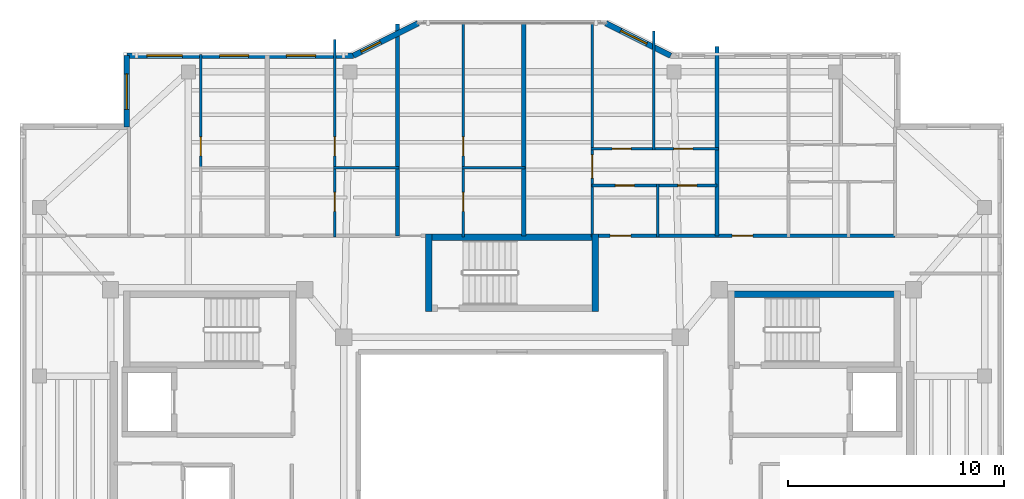
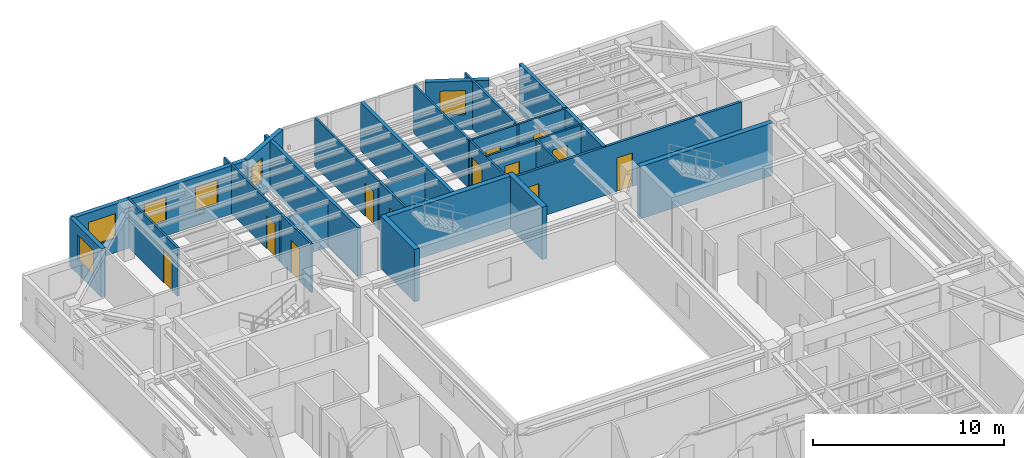
# One storey, part 10 of 14: 25 walls, 12 doors, 6 windows, 18 openings.
"""IFC4 building model written with IfcOpenShell, lengths in metres."""

from ifc_helpers import new_model, si_unit, direction, frame, frame_2d, origin, place, context, subcontext, project, spatial, rectangle, extrude, material, layer, layer_set, type_object, element, fill, save


model = new_model("IFC4")

# Units and contexts
model_context = context("Model", 3, precision=1e-05, world=origin(), true_north=direction((0.0, 1.0)))
body_context = subcontext(model_context, "Body", "Model", "MODEL_VIEW")
ifc_project = project(units=[si_unit("LENGTHUNIT", "METRE"), si_unit("AREAUNIT", "SQUARE_METRE"), si_unit("VOLUMEUNIT", "CUBIC_METRE"), si_unit("PLANEANGLEUNIT", "RADIAN"), si_unit("MASSUNIT", "GRAM", prefix="KILO")], contexts=[model_context])

# Site, building, storey
site_placement = place(None, origin())
site = spatial("IfcSite", under=ifc_project, at=site_placement, CompositionType="ELEMENT")
building_placement = place(site_placement, origin())
building = spatial("IfcBuilding", under=site, at=building_placement, Name="Tarnavaz Court Tower", CompositionType="ELEMENT")
storey_placement = place(building_placement, frame((0.0, 0.0, 261.60009765625)))
storey = spatial("IfcBuildingStorey", under=building, at=storey_placement, Name="L71", CompositionType="ELEMENT", Elevation=261.60009765625)

# Walls
ifc_material_1 = material(Name="Concrete C50/60", Category="concrete")
ifc_layer_1 = layer(ifc_material_1, 0.300048828125)
ifc_layer_set_1 = layer_set([ifc_layer_1], Name="Concrete C50/60")
wall_type_1 = type_object("IfcWallType", Name="WL-CORE-300-C50", PredefinedType="SHEAR", material=ifc_layer_set_1)
for number, where, z_axis, x_axis, name in (
    (1, (10.0, 9.7900390625, 0.0), (0.0, 0.0, 1.0), (1.0, 0.0, 0.0), "L71 East Stair Core Wall 005"),
    (2, (-4.0, 12.43994140625, 0.0), (0.0, 0.0, 1.0), (1.0, 0.0, 0.0), "L71 North Stair Core Wall 009"),
):
    element("IfcWall", number, at=place(storey_placement, frame(where, z_axis=z_axis, x_axis=x_axis)), inside=storey, type_object=wall_type_1, Name=name, PredefinedType="SHEAR", context=body_context, shape_type="SweptSolid", body=[
        extrude(rectangle(XDim=8.0, YDim=0.300048828125, at=frame_2d((4.0, 0.0))), origin(), (0.0, 0.0, 1.0), 3.349853515625),
    ])
for number, where, z_axis, x_axis, name in (
    (3, (-3.85009765625, 9.0, 0.0), (0.0, 0.0, 1.0), (0.0, 1.0, 0.0), "L71 North Stair Core Wall 011"),
    (4, (3.85009765625, 9.0, 0.0), (0.0, 0.0, 1.0), (0.0, 1.0, 0.0), "L71 North Stair Core Wall 012"),
):
    element("IfcWall", number, at=place(storey_placement, frame(where, z_axis=z_axis, x_axis=x_axis)), inside=storey, type_object=wall_type_1, Name=name, PredefinedType="SHEAR", context=body_context, shape_type="SweptSolid", body=[
        extrude(rectangle(XDim=3.590087890625, YDim=0.300048828125, at=frame_2d((1.794921875, 0.0))), origin(), (0.0, 0.0, 1.0), 3.349853515625),
    ])

# Wall, opening, window
ifc_material_2 = material(Name="Precast Concrete C40/50", Category="concrete")
ifc_layer_2 = layer(ifc_material_2, 0.260009765625)
ifc_layer_set_2 = layer_set([ifc_layer_2], Name="Precast Concrete C40/50")
wall_type_2 = type_object("IfcWallType", Name="WL-EXT-260", PredefinedType="SOLIDWALL", material=ifc_layer_set_2)
wall_1_placement = place(storey_placement, frame((-17.85009765625, 17.550048828125, 0.0), z_axis=(0.0, 0.0, 1.0), x_axis=(0.0, 1.0, 0.0)))
wall_1 = element("IfcWall", 5, at=wall_1_placement, inside=storey, type_object=wall_type_2, Name="L71 Exterior Terracotta Facade Wall 04", PredefinedType="SOLIDWALL", context=body_context, shape_type="SweptSolid", body=[
    extrude(rectangle(XDim=3.300048828125, YDim=0.260009765625, at=frame_2d((1.64990234375, 0.0))), origin(), (0.0, 0.0, 1.0), 3.099853515625),
])
opening_1_placement = place(wall_1_placement, frame((0.8076171875, 0.0, 0.89990234375)))
opening_1 = element("IfcOpeningElement", 6, at=opening_1_placement, cuts=wall_1, Name="Opening W02", PredefinedType="OPENING", context=body_context, shape_type="SweptSolid", body=[
    extrude(rectangle(XDim=1.64990234375, YDim=1.60009765625, at=frame_2d((0.824951171875, 0.800048828125))), frame((0.0, 0.139892578125, 0.0), z_axis=(0.0, -1.0, 0.0), x_axis=(1.0, 0.0, 0.0)), (0.0, 0.0, 1.0), 0.280029296875),
])
ifc_material_3 = material(Name="Double-Glazed Solar Low-E Glass", Category="glass")
window_type_1 = type_object("IfcWindowType", Name="WN-APT-1650", PartitioningType="DOUBLE_PANEL_VERTICAL", PredefinedType="WINDOW", material=ifc_material_3)
window_1_placement = place(opening_1_placement, origin())
window_1 = element("IfcWindow", 7, at=window_1_placement, inside=storey, type_object=window_type_1, Name="L71 Flat 01 Studio Living and Sleeping Room Window", OverallHeight=1.60009765625, OverallWidth=1.64990234375, PartitioningType="SINGLE_PANEL", PredefinedType="WINDOW", context=body_context, shape_type="SweptSolid", body=[
    extrude(rectangle(XDim=1.64990234375, YDim=1.60009765625, at=frame_2d((0.824951171875, 0.800048828125))), frame((0.0, 0.030029296875, 0.0), z_axis=(0.0, -1.0, 0.0), x_axis=(1.0, 0.0, 0.0)), (0.0, 0.0, 1.0), 0.06005859375),
])
fill(opening_1, window_1)

# Wall, openings, windows
wall_2_placement = place(storey_placement, frame((-17.85009765625, 20.85009765625, 0.0), z_axis=(0.0, 0.0, 1.0), x_axis=(1.0, 0.0, 0.0)))
wall_2 = element("IfcWall", 8, at=wall_2_placement, inside=storey, type_object=wall_type_2, Name="L71 Exterior Terracotta Facade Wall 05", PredefinedType="SOLIDWALL", context=body_context, shape_type="SweptSolid", body=[
    extrude(rectangle(XDim=10.5, YDim=0.260009765625, at=frame_2d((5.25, 0.0))), origin(), (0.0, 0.0, 1.0), 3.099853515625),
])
opening_2_placement = place(wall_2_placement, frame((0.925048828125, 0.0, 0.89990234375)))
opening_2 = element("IfcOpeningElement", 9, at=opening_2_placement, cuts=wall_2, Name="Opening W02", PredefinedType="OPENING", context=body_context, shape_type="SweptSolid", body=[
    extrude(rectangle(XDim=1.64990234375, YDim=1.60009765625, at=frame_2d((0.824951171875, 0.800048828125))), frame((0.0, 0.139892578125, 0.0), z_axis=(0.0, -1.0, 0.0), x_axis=(1.0, 0.0, 0.0)), (0.0, 0.0, 1.0), 0.280029296875),
])
opening_3_placement = place(wall_2_placement, frame((4.300048828125, 0.0, 0.949951171875)))
opening_3 = element("IfcOpeningElement", 10, at=opening_3_placement, cuts=wall_2, Name="Opening W04", PredefinedType="OPENING", context=body_context, shape_type="SweptSolid", body=[
    extrude(rectangle(XDim=1.35009765625, YDim=1.550048828125, at=frame_2d((0.675048828125, 0.77490234375))), frame((0.0, 0.139892578125, 0.0), z_axis=(0.0, -1.0, 0.0), x_axis=(1.0, 0.0, 0.0)), (0.0, 0.0, 1.0), 0.280029296875),
])
opening_4_placement = place(wall_2_placement, frame((7.39990234375, 0.0, 0.949951171875)))
opening_4 = element("IfcOpeningElement", 11, at=opening_4_placement, cuts=wall_2, Name="Opening W04", PredefinedType="OPENING", context=body_context, shape_type="SweptSolid", body=[
    extrude(rectangle(XDim=1.35009765625, YDim=1.550048828125, at=frame_2d((0.675048828125, 0.77490234375))), frame((0.0, 0.139892578125, 0.0), z_axis=(0.0, -1.0, 0.0), x_axis=(1.0, 0.0, 0.0)), (0.0, 0.0, 1.0), 0.280029296875),
])
window_type_2 = type_object("IfcWindowType", Name="WN-APT-1350", PartitioningType="SINGLE_PANEL", PredefinedType="WINDOW", material=ifc_material_3)
window_2_placement = place(opening_3_placement, origin())
window_2 = element("IfcWindow", 12, at=window_2_placement, inside=storey, type_object=window_type_2, Name="L71 Flat 01 Kitchen Window", OverallHeight=1.550048828125, OverallWidth=1.35009765625, PartitioningType="SINGLE_PANEL", PredefinedType="WINDOW", context=body_context, shape_type="SweptSolid", body=[
    extrude(rectangle(XDim=1.35009765625, YDim=1.550048828125, at=frame_2d((0.675048828125, 0.77490234375))), frame((0.0, 0.030029296875, 0.0), z_axis=(0.0, -1.0, 0.0), x_axis=(1.0, 0.0, 0.0)), (0.0, 0.0, 1.0), 0.06005859375),
])
fill(opening_3, window_2)
window_3_placement = place(opening_4_placement, origin())
window_3 = element("IfcWindow", 13, at=window_3_placement, inside=storey, type_object=window_type_2, Name="L71 Flat 02 Studio Living and Sleeping Room Window", OverallHeight=1.550048828125, OverallWidth=1.35009765625, PartitioningType="SINGLE_PANEL", PredefinedType="WINDOW", context=body_context, shape_type="SweptSolid", body=[
    extrude(rectangle(XDim=1.35009765625, YDim=1.550048828125, at=frame_2d((0.675048828125, 0.77490234375))), frame((0.0, 0.030029296875, 0.0), z_axis=(0.0, -1.0, 0.0), x_axis=(1.0, 0.0, 0.0)), (0.0, 0.0, 1.0), 0.06005859375),
])
fill(opening_4, window_3)
window_4_placement = place(opening_2_placement, origin())
window_4 = element("IfcWindow", 14, at=window_4_placement, inside=storey, type_object=window_type_1, Name="L71 Flat 01 Studio Living and Sleeping Room Window", OverallHeight=1.60009765625, OverallWidth=1.64990234375, PartitioningType="SINGLE_PANEL", PredefinedType="WINDOW", context=body_context, shape_type="SweptSolid", body=[
    extrude(rectangle(XDim=1.64990234375, YDim=1.60009765625, at=frame_2d((0.824951171875, 0.800048828125))), frame((0.0, 0.030029296875, 0.0), z_axis=(0.0, -1.0, 0.0), x_axis=(1.0, 0.0, 0.0)), (0.0, 0.0, 1.0), 0.06005859375),
])
fill(opening_2, window_4)

# Wall, opening, window
wall_3_placement = place(storey_placement, frame((-7.35009765625, 20.85009765625, 0.0), z_axis=(0.0, 0.0, 1.0), x_axis=(0.894427191, 0.4472135955, 0.0)))
wall_3 = element("IfcWall", 15, at=wall_3_placement, inside=storey, type_object=wall_type_2, Name="L71 Exterior Terracotta Facade Wall 06", PredefinedType="SOLIDWALL", context=body_context, shape_type="SweptSolid", body=[
    extrude(rectangle(XDim=3.35400390625, YDim=0.260009765625, at=frame_2d((1.677001953125, 0.0))), origin(), (0.0, 0.0, 1.0), 3.099853515625),
])
opening_5_placement = place(wall_3_placement, frame((0.40087890625, 0.0, 0.949951171875)))
opening_5 = element("IfcOpeningElement", 16, at=opening_5_placement, cuts=wall_3, Name="Opening W14", PredefinedType="OPENING", context=body_context, shape_type="SweptSolid", body=[
    extrude(rectangle(XDim=1.0, YDim=1.5, at=frame_2d((0.5, 0.75))), frame((0.0, 0.139892578125, 0.0), z_axis=(0.0, -1.0, 0.0), x_axis=(1.0, 0.0, 0.0)), (0.0, 0.0, 1.0), 0.280029296875),
])
window_type_3 = type_object("IfcWindowType", Name="WN-APT-1000", PartitioningType="SINGLE_PANEL", PredefinedType="WINDOW", material=ifc_material_3)
window_5_placement = place(opening_5_placement, origin())
window_5 = element("IfcWindow", 17, at=window_5_placement, inside=storey, type_object=window_type_3, Name="L71 Flat 02 Kitchen Window", OverallHeight=1.5, OverallWidth=1.0, PartitioningType="SINGLE_PANEL", PredefinedType="WINDOW", context=body_context, shape_type="SweptSolid", body=[
    extrude(rectangle(XDim=1.0, YDim=1.5, at=frame_2d((0.5, 0.75))), frame((0.0, 0.030029296875, 0.0), z_axis=(0.0, -1.0, 0.0), x_axis=(1.0, 0.0, 0.0)), (0.0, 0.0, 1.0), 0.06005859375),
])
fill(opening_5, window_5)

wall_4_placement = place(storey_placement, frame((4.35009765625, 22.35009765625, 0.0), z_axis=(0.0, 0.0, 1.0), x_axis=(0.894427191, -0.4472135955, 0.0)))
wall_4 = element("IfcWall", 18, at=wall_4_placement, inside=storey, type_object=wall_type_2, Name="L71 Exterior Terracotta Facade Wall 08", PredefinedType="SOLIDWALL", context=body_context, shape_type="SweptSolid", body=[
    extrude(rectangle(XDim=3.35400390625, YDim=0.260009765625, at=frame_2d((1.677001953125, 0.0))), origin(), (0.0, 0.0, 1.0), 3.099853515625),
])
opening_6_placement = place(wall_4_placement, frame((0.771728515625, 0.0, 0.949951171875)))
opening_6 = element("IfcOpeningElement", 19, at=opening_6_placement, cuts=wall_4, Name="Opening W04", PredefinedType="OPENING", context=body_context, shape_type="SweptSolid", body=[
    extrude(rectangle(XDim=1.35009765625, YDim=1.550048828125, at=frame_2d((0.675048828125, 0.77490234375))), frame((0.0, 0.139892578125, 0.0), z_axis=(0.0, -1.0, 0.0), x_axis=(1.0, 0.0, 0.0)), (0.0, 0.0, 1.0), 0.280029296875),
])
window_6_placement = place(opening_6_placement, origin())
window_6 = element("IfcWindow", 20, at=window_6_placement, inside=storey, type_object=window_type_2, Name="L71 Flat 04 Principal Bedroom Window", OverallHeight=1.550048828125, OverallWidth=1.35009765625, PartitioningType="SINGLE_PANEL", PredefinedType="WINDOW", context=body_context, shape_type="SweptSolid", body=[
    extrude(rectangle(XDim=1.35009765625, YDim=1.550048828125, at=frame_2d((0.675048828125, 0.77490234375))), frame((0.0, 0.030029296875, 0.0), z_axis=(0.0, -1.0, 0.0), x_axis=(1.0, 0.0, 0.0)), (0.0, 0.0, 1.0), 0.06005859375),
])
fill(opening_6, window_6)

# Wall, openings, doors
ifc_material_4 = material(Name="Gypsum Fire-Board on Acoustic Metal Stud", Category="masonry")
ifc_layer_3 = layer(ifc_material_4, 0.14990234375)
ifc_layer_set_3 = layer_set([ifc_layer_3], Name="Gypsum Fire-Board on Acoustic Metal Stud")
wall_type_3 = type_object("IfcWallType", Name="WL-FIRE-150", PredefinedType="PARTITIONING", material=ifc_layer_set_3)
wall_5_placement = place(storey_placement, frame((3.85009765625, 12.5, 0.0), z_axis=(0.0, 0.0, 1.0), x_axis=(1.0, 0.0, 0.0)))
wall_5 = element("IfcWall", 21, at=wall_5_placement, inside=storey, type_object=wall_type_3, Name="L71 NE Wing Corridor Wall 061", PredefinedType="PARTITIONING", context=body_context, shape_type="SweptSolid", body=[
    extrude(rectangle(XDim=13.89990234375, YDim=0.14990234375, at=frame_2d((6.949951171875, 0.0))), origin(), (0.0, 0.0, 1.0), 3.099853515625),
])
opening_7_placement = place(wall_5_placement, frame((0.699951171875, 0.0, 0.0)))
opening_7 = element("IfcOpeningElement", 22, at=opening_7_placement, cuts=wall_5, Name="Opening D06", PredefinedType="OPENING", context=body_context, shape_type="SweptSolid", body=[
    extrude(rectangle(XDim=0.9599609375, YDim=2.14990234375, at=frame_2d((0.47998046875, 1.074951171875))), frame((0.0, 0.0849609375, 0.0), z_axis=(0.0, -1.0, 0.0), x_axis=(1.0, 0.0, 0.0)), (0.0, 0.0, 1.0), 0.169921875),
])
opening_8_placement = place(wall_5_placement, frame((6.35009765625, 0.0, 0.0)))
opening_8 = element("IfcOpeningElement", 23, at=opening_8_placement, cuts=wall_5, Name="Opening D06", PredefinedType="OPENING", context=body_context, shape_type="SweptSolid", body=[
    extrude(rectangle(XDim=0.9599609375, YDim=2.14990234375, at=frame_2d((0.47998046875, 1.074951171875))), frame((0.0, 0.0849609375, 0.0), z_axis=(0.0, -1.0, 0.0), x_axis=(1.0, 0.0, 0.0)), (0.0, 0.0, 1.0), 0.169921875),
])
ifc_material_5 = material(Name="Fire-Rated Hardwood Timber Core", Category="wood")
door_type_1 = type_object("IfcDoorType", Name="DR-FD60-950", OperationType="NOTDEFINED", PredefinedType="DOOR", material=ifc_material_5)
door_1_placement = place(opening_7_placement, origin())
door_1 = element("IfcDoor", 24, at=door_1_placement, inside=storey, type_object=door_type_1, Name="L71 Flat 04 Entrance Door", OperationType="SINGLE_SWING_LEFT", OverallHeight=2.14990234375, OverallWidth=0.9599609375, PredefinedType="DOOR", context=body_context, shape_type="SweptSolid", body=[
    extrude(rectangle(XDim=0.9599609375, YDim=2.14990234375, at=frame_2d((0.47998046875, 1.074951171875))), frame((0.0, 0.02490234375, 0.0), z_axis=(0.0, -1.0, 0.0), x_axis=(1.0, 0.0, 0.0)), (0.0, 0.0, 1.0), 0.050048828125),
])
fill(opening_7, door_1)
door_2_placement = place(opening_8_placement, origin())
door_2 = element("IfcDoor", 25, at=door_2_placement, inside=storey, type_object=door_type_1, Name="L71 Flat 05 Entrance Door", OperationType="SINGLE_SWING_LEFT", OverallHeight=2.14990234375, OverallWidth=0.9599609375, PredefinedType="DOOR", context=body_context, shape_type="SweptSolid", body=[
    extrude(rectangle(XDim=0.9599609375, YDim=2.14990234375, at=frame_2d((0.47998046875, 1.074951171875))), frame((0.0, 0.02490234375, 0.0), z_axis=(0.0, -1.0, 0.0), x_axis=(1.0, 0.0, 0.0)), (0.0, 0.0, 1.0), 0.050048828125),
])
fill(opening_8, door_2)

# Walls
ifc_material_6 = material(Name="Autoclaved Aerated Concrete Blockwork", Category="masonry")
ifc_layer_4 = layer(ifc_material_6, 0.199951171875)
ifc_layer_set_4 = layer_set([ifc_layer_4], Name="Autoclaved Aerated Concrete Blockwork")
wall_type_4 = type_object("IfcWallType", Name="WL-FIRE-200", PredefinedType="SOLIDWALL", material=ifc_layer_set_4)
wall_6_placement = place(storey_placement, frame((0.550048828125, 12.5, 0.0), z_axis=(0.0, 0.0, 1.0), x_axis=(0.0, 1.0, 0.0)))
element("IfcWall", 26, at=wall_6_placement, inside=storey, type_object=wall_type_4, Name="L71 North Center Party Wall 064", PredefinedType="SOLIDWALL", context=body_context, shape_type="SweptSolid", body=[
    extrude(rectangle(XDim=9.8798828125, YDim=0.199951171875, at=frame_2d((4.93994140625, 0.0))), origin(), (0.0, 0.0, 1.0), 3.099853515625),
])
wall_7_placement = place(storey_placement, frame((-5.305908203125, 12.5, 0.0), z_axis=(0.0, 0.0, 1.0), x_axis=(0.0, 1.0, 0.0)))
element("IfcWall", 27, at=wall_7_placement, inside=storey, type_object=wall_type_4, Name="L71 Party Wall 069", PredefinedType="SOLIDWALL", context=body_context, shape_type="SweptSolid", body=[
    extrude(rectangle(XDim=9.804931640625, YDim=0.199951171875, at=frame_2d((4.90234375, 0.0))), origin(), (0.0, 0.0, 1.0), 3.099853515625),
])
wall_8_placement = place(storey_placement, frame((9.5, 12.5, 0.0), z_axis=(0.0, 0.0, 1.0), x_axis=(0.0, 1.0, 0.0)))
element("IfcWall", 28, at=wall_8_placement, inside=storey, type_object=wall_type_4, Name="L71 Party Wall 076", PredefinedType="SOLIDWALL", context=body_context, shape_type="SweptSolid", body=[
    extrude(rectangle(XDim=8.77001953125, YDim=0.199951171875, at=frame_2d((4.385009765625, 0.0))), origin(), (0.0, 0.0, 1.0), 3.099853515625),
])

# Wall, opening, door
ifc_material_7 = material(Name="Moisture-Resistant Gypsum Board Partition", Category="masonry")
ifc_layer_5 = layer(ifc_material_7, 0.1201171875)
ifc_layer_set_5 = layer_set([ifc_layer_5], Name="Moisture-Resistant Gypsum Board Partition")
wall_type_5 = type_object("IfcWallType", Name="WL-PART-120", PredefinedType="PARTITIONING", material=ifc_layer_set_5)
wall_9_placement = place(storey_placement, frame((-14.422119140625, 15.64990234375, 0.0), z_axis=(0.0, 0.0, 1.0), x_axis=(0.0, 1.0, 0.0)))
wall_9 = element("IfcWall", 29, at=wall_9_placement, inside=storey, type_object=wall_type_5, Name="L71 Interior Partition 067", PredefinedType="PARTITIONING", context=body_context, shape_type="SweptSolid", body=[
    extrude(rectangle(XDim=5.25, YDim=0.1201171875, at=frame_2d((2.625, 0.0))), origin(), (0.0, 0.0, 1.0), 3.099853515625),
])
opening_9_placement = place(wall_9_placement, frame((0.550048828125, 0.0, 0.0)))
opening_9 = element("IfcOpeningElement", 30, at=opening_9_placement, cuts=wall_9, Name="Opening D14", PredefinedType="OPENING", context=body_context, shape_type="SweptSolid", body=[
    extrude(rectangle(XDim=0.8798828125, YDim=2.10009765625, at=frame_2d((0.43994140625, 1.050048828125))), frame((0.0, 0.070068359375, 0.0), z_axis=(0.0, -1.0, 0.0), x_axis=(1.0, 0.0, 0.0)), (0.0, 0.0, 1.0), 0.14013671875),
])
ifc_material_8 = material(Name="Engineered Oak Timber", Category="wood")
door_type_2 = type_object("IfcDoorType", Name="DR-INT-900", OperationType="NOTDEFINED", PredefinedType="DOOR", material=ifc_material_8)
door_3_placement = place(opening_9_placement, origin())
door_3 = element("IfcDoor", 31, at=door_3_placement, inside=storey, type_object=door_type_2, Name="L71 Flat 01 Kitchen Door", OperationType="SINGLE_SWING_RIGHT", OverallHeight=2.10009765625, OverallWidth=0.8798828125, PredefinedType="DOOR", context=body_context, shape_type="SweptSolid", body=[
    extrude(rectangle(XDim=0.8798828125, YDim=2.10009765625, at=frame_2d((0.43994140625, 1.050048828125))), frame((0.0, 0.02490234375, 0.0), z_axis=(0.0, -1.0, 0.0), x_axis=(1.0, 0.0, 0.0)), (0.0, 0.0, 1.0), 0.050048828125),
])
fill(opening_9, door_3)

wall_10_placement = place(storey_placement, frame((-8.20703125, 12.43994140625, 0.0), z_axis=(0.0, 0.0, 1.0), x_axis=(0.0, 1.0, 0.0)))
wall_10 = element("IfcWall", 32, at=wall_10_placement, inside=storey, type_object=wall_type_5, Name="L71 Interior Partition 070", PredefinedType="PARTITIONING", context=body_context, shape_type="SweptSolid", body=[
    extrude(rectangle(XDim=3.2099609375, YDim=0.1201171875, at=frame_2d((1.60498046875, 0.0))), origin(), (0.0, 0.0, 1.0), 3.099853515625),
])
opening_10_placement = place(wall_10_placement, frame((1.195068359375, 0.0, 0.0)))
opening_10 = element("IfcOpeningElement", 33, at=opening_10_placement, cuts=wall_10, Name="Opening D14", PredefinedType="OPENING", context=body_context, shape_type="SweptSolid", body=[
    extrude(rectangle(XDim=0.8798828125, YDim=2.10009765625, at=frame_2d((0.43994140625, 1.050048828125))), frame((0.0, 0.070068359375, 0.0), z_axis=(0.0, -1.0, 0.0), x_axis=(1.0, 0.0, 0.0)), (0.0, 0.0, 1.0), 0.14013671875),
])
door_4_placement = place(opening_10_placement, origin())
door_4 = element("IfcDoor", 34, at=door_4_placement, inside=storey, type_object=door_type_2, Name="L71 Flat 02 Bathroom Door", OperationType="SINGLE_SWING_RIGHT", OverallHeight=2.10009765625, OverallWidth=0.8798828125, PredefinedType="DOOR", context=body_context, shape_type="SweptSolid", body=[
    extrude(rectangle(XDim=0.8798828125, YDim=2.10009765625, at=frame_2d((0.43994140625, 1.050048828125))), frame((0.0, 0.02490234375, 0.0), z_axis=(0.0, -1.0, 0.0), x_axis=(1.0, 0.0, 0.0)), (0.0, 0.0, 1.0), 0.050048828125),
])
fill(opening_10, door_4)

wall_11_placement = place(storey_placement, frame((-8.20703125, 15.64990234375, 0.0), z_axis=(0.0, 0.0, 1.0), x_axis=(0.0, 1.0, 0.0)))
wall_11 = element("IfcWall", 35, at=wall_11_placement, inside=storey, type_object=wall_type_5, Name="L71 Interior Partition 071", PredefinedType="PARTITIONING", context=body_context, shape_type="SweptSolid", body=[
    extrude(rectangle(XDim=5.939208984375, YDim=0.1201171875, at=frame_2d((2.9697265625, 0.0))), origin(), (0.0, 0.0, 1.0), 3.099853515625),
])
opening_11_placement = place(wall_11_placement, frame((0.550048828125, 0.0, 0.0)))
opening_11 = element("IfcOpeningElement", 36, at=opening_11_placement, cuts=wall_11, Name="Opening D14", PredefinedType="OPENING", context=body_context, shape_type="SweptSolid", body=[
    extrude(rectangle(XDim=0.8798828125, YDim=2.10009765625, at=frame_2d((0.43994140625, 1.050048828125))), frame((0.0, 0.070068359375, 0.0), z_axis=(0.0, -1.0, 0.0), x_axis=(1.0, 0.0, 0.0)), (0.0, 0.0, 1.0), 0.14013671875),
])
door_5_placement = place(opening_11_placement, origin())
door_5 = element("IfcDoor", 37, at=door_5_placement, inside=storey, type_object=door_type_2, Name="L71 Flat 02 Kitchen Door", OperationType="SINGLE_SWING_LEFT", OverallHeight=2.10009765625, OverallWidth=0.8798828125, PredefinedType="DOOR", context=body_context, shape_type="SweptSolid", body=[
    extrude(rectangle(XDim=0.8798828125, YDim=2.10009765625, at=frame_2d((0.43994140625, 1.050048828125))), frame((0.0, 0.02490234375, 0.0), z_axis=(0.0, -1.0, 0.0), x_axis=(1.0, 0.0, 0.0)), (0.0, 0.0, 1.0), 0.050048828125),
])
fill(opening_11, door_5)

# Wall
wall_12_placement = place(storey_placement, frame((-8.26708984375, 15.64990234375, 0.0), z_axis=(0.0, 0.0, 1.0), x_axis=(1.0, 0.0, 0.0)))
element("IfcWall", 38, at=wall_12_placement, inside=storey, type_object=wall_type_5, Name="L71 Interior Partition 072", PredefinedType="PARTITIONING", context=body_context, shape_type="SweptSolid", body=[
    extrude(rectangle(XDim=3.02099609375, YDim=0.1201171875, at=frame_2d((1.510498046875, 0.0))), origin(), (0.0, 0.0, 1.0), 2.784912109375),
])

# Wall, opening, door
wall_13_placement = place(storey_placement, frame((-2.262939453125, 12.43994140625, 0.0), z_axis=(0.0, 0.0, 1.0), x_axis=(0.0, 1.0, 0.0)))
wall_13 = element("IfcWall", 39, at=wall_13_placement, inside=storey, type_object=wall_type_5, Name="L71 Interior Partition 073", PredefinedType="PARTITIONING", context=body_context, shape_type="SweptSolid", body=[
    extrude(rectangle(XDim=3.2099609375, YDim=0.1201171875, at=frame_2d((1.60498046875, 0.0))), origin(), (0.0, 0.0, 1.0), 3.099853515625),
])
opening_12_placement = place(wall_13_placement, frame((1.195068359375, 0.0, 0.0)))
opening_12 = element("IfcOpeningElement", 40, at=opening_12_placement, cuts=wall_13, Name="Opening D14", PredefinedType="OPENING", context=body_context, shape_type="SweptSolid", body=[
    extrude(rectangle(XDim=0.8798828125, YDim=2.10009765625, at=frame_2d((0.43994140625, 1.050048828125))), frame((0.0, 0.070068359375, 0.0), z_axis=(0.0, -1.0, 0.0), x_axis=(1.0, 0.0, 0.0)), (0.0, 0.0, 1.0), 0.14013671875),
])
door_6_placement = place(opening_12_placement, origin())
door_6 = element("IfcDoor", 41, at=door_6_placement, inside=storey, type_object=door_type_2, Name="L71 Flat 03 Bathroom Door", OperationType="SINGLE_SWING_LEFT", OverallHeight=2.10009765625, OverallWidth=0.8798828125, PredefinedType="DOOR", context=body_context, shape_type="SweptSolid", body=[
    extrude(rectangle(XDim=0.8798828125, YDim=2.10009765625, at=frame_2d((0.43994140625, 1.050048828125))), frame((0.0, 0.02490234375, 0.0), z_axis=(0.0, -1.0, 0.0), x_axis=(1.0, 0.0, 0.0)), (0.0, 0.0, 1.0), 0.050048828125),
])
fill(opening_12, door_6)

wall_14_placement = place(storey_placement, frame((-2.262939453125, 15.64990234375, 0.0), z_axis=(0.0, 0.0, 1.0), x_axis=(0.0, 1.0, 0.0)))
wall_14 = element("IfcWall", 42, at=wall_14_placement, inside=storey, type_object=wall_type_5, Name="L71 Interior Partition 074", PredefinedType="PARTITIONING", context=body_context, shape_type="SweptSolid", body=[
    extrude(rectangle(XDim=6.72998046875, YDim=0.1201171875, at=frame_2d((3.364990234375, 0.0))), origin(), (0.0, 0.0, 1.0), 3.099853515625),
])
opening_13_placement = place(wall_14_placement, frame((0.550048828125, 0.0, 0.0)))
opening_13 = element("IfcOpeningElement", 43, at=opening_13_placement, cuts=wall_14, Name="Opening D14", PredefinedType="OPENING", context=body_context, shape_type="SweptSolid", body=[
    extrude(rectangle(XDim=0.8798828125, YDim=2.10009765625, at=frame_2d((0.43994140625, 1.050048828125))), frame((0.0, 0.070068359375, 0.0), z_axis=(0.0, -1.0, 0.0), x_axis=(1.0, 0.0, 0.0)), (0.0, 0.0, 1.0), 0.14013671875),
])
door_7_placement = place(opening_13_placement, origin())
door_7 = element("IfcDoor", 44, at=door_7_placement, inside=storey, type_object=door_type_2, Name="L71 Flat 03 Kitchen Door", OperationType="SINGLE_SWING_RIGHT", OverallHeight=2.10009765625, OverallWidth=0.8798828125, PredefinedType="DOOR", context=body_context, shape_type="SweptSolid", body=[
    extrude(rectangle(XDim=0.8798828125, YDim=2.10009765625, at=frame_2d((0.43994140625, 1.050048828125))), frame((0.0, 0.02490234375, 0.0), z_axis=(0.0, -1.0, 0.0), x_axis=(1.0, 0.0, 0.0)), (0.0, 0.0, 1.0), 0.050048828125),
])
fill(opening_13, door_7)

# Wall
wall_15_placement = place(storey_placement, frame((-2.322998046875, 15.64990234375, 0.0), z_axis=(0.0, 0.0, 1.0), x_axis=(1.0, 0.0, 0.0)))
element("IfcWall", 45, at=wall_15_placement, inside=storey, type_object=wall_type_5, Name="L71 Interior Partition 075", PredefinedType="PARTITIONING", context=body_context, shape_type="SweptSolid", body=[
    extrude(rectangle(XDim=2.93310546875, YDim=0.1201171875, at=frame_2d((1.466552734375, 0.0))), origin(), (0.0, 0.0, 1.0), 2.784912109375),
])

# Wall, opening, door
wall_16_placement = place(storey_placement, frame((3.7099609375, 12.43994140625, 0.0), z_axis=(0.0, 0.0, 1.0), x_axis=(0.0, 1.0, 0.0)))
wall_16 = element("IfcWall", 46, at=wall_16_placement, inside=storey, type_object=wall_type_5, Name="L71 Interior Partition 077", PredefinedType="PARTITIONING", context=body_context, shape_type="SweptSolid", body=[
    extrude(rectangle(XDim=9.93994140625, YDim=0.1201171875, at=frame_2d((4.969970703125, 0.0))), origin(), (0.0, 0.0, 1.0), 3.099853515625),
])
opening_14_placement = place(wall_16_placement, frame((2.735107421875, 0.0, 0.0)))
opening_14 = element("IfcOpeningElement", 47, at=opening_14_placement, cuts=wall_16, Name="Opening D12", PredefinedType="OPENING", context=body_context, shape_type="SweptSolid", body=[
    extrude(rectangle(XDim=1.080078125, YDim=2.14990234375, at=frame_2d((0.5400390625, 1.074951171875))), frame((0.0, 0.070068359375, 0.0), z_axis=(0.0, -1.0, 0.0), x_axis=(1.0, 0.0, 0.0)), (0.0, 0.0, 1.0), 0.14013671875),
])
door_type_3 = type_object("IfcDoorType", Name="DR-INT-1100", OperationType="NOTDEFINED", PredefinedType="DOOR", material=ifc_material_8)
door_8_placement = place(opening_14_placement, origin())
door_8 = element("IfcDoor", 48, at=door_8_placement, inside=storey, type_object=door_type_3, Name="L71 Flat 04 Foyer Door", OperationType="SINGLE_SWING_RIGHT", OverallHeight=2.14990234375, OverallWidth=1.080078125, PredefinedType="DOOR", context=body_context, shape_type="SweptSolid", body=[
    extrude(rectangle(XDim=1.080078125, YDim=2.14990234375, at=frame_2d((0.5400390625, 1.074951171875))), frame((0.0, 0.02490234375, 0.0), z_axis=(0.0, -1.0, 0.0), x_axis=(1.0, 0.0, 0.0)), (0.0, 0.0, 1.0), 0.050048828125),
])
fill(opening_14, door_8)

wall_17_placement = place(storey_placement, frame((3.7099609375, 14.830078125, 0.0), z_axis=(0.0, 0.0, 1.0), x_axis=(1.0, 0.0, 0.0)))
wall_17 = element("IfcWall", 49, at=wall_17_placement, inside=storey, type_object=wall_type_5, Name="L71 Interior Partition 078", PredefinedType="PARTITIONING", context=body_context, shape_type="SweptSolid", body=[
    extrude(rectangle(XDim=3.037109375, YDim=0.1201171875, at=frame_2d((1.5185546875, 0.0))), origin(), (0.0, 0.0, 1.0), 3.099853515625),
])
opening_15_placement = place(wall_17_placement, frame((1.0791015625, 0.0, 0.0)))
opening_15 = element("IfcOpeningElement", 50, at=opening_15_placement, cuts=wall_17, Name="Opening D14", PredefinedType="OPENING", context=body_context, shape_type="SweptSolid", body=[
    extrude(rectangle(XDim=0.8798828125, YDim=2.10009765625, at=frame_2d((0.43994140625, 1.050048828125))), frame((0.0, 0.070068359375, 0.0), z_axis=(0.0, -1.0, 0.0), x_axis=(1.0, 0.0, 0.0)), (0.0, 0.0, 1.0), 0.14013671875),
])
door_9_placement = place(opening_15_placement, origin())
door_9 = element("IfcDoor", 51, at=door_9_placement, inside=storey, type_object=door_type_2, Name="L71 Flat 04 Kitchen Door", OperationType="SINGLE_SWING_LEFT", OverallHeight=2.10009765625, OverallWidth=0.8798828125, PredefinedType="DOOR", context=body_context, shape_type="SweptSolid", body=[
    extrude(rectangle(XDim=0.8798828125, YDim=2.10009765625, at=frame_2d((0.43994140625, 1.050048828125))), frame((0.0, 0.02490234375, 0.0), z_axis=(0.0, -1.0, 0.0), x_axis=(1.0, 0.0, 0.0)), (0.0, 0.0, 1.0), 0.050048828125),
])
fill(opening_15, door_9)

wall_18_placement = place(storey_placement, frame((6.7470703125, 14.830078125, 0.0), z_axis=(0.0, 0.0, 1.0), x_axis=(1.0, 0.0, 0.0)))
wall_18 = element("IfcWall", 52, at=wall_18_placement, inside=storey, type_object=wall_type_5, Name="L71 Interior Partition 079", PredefinedType="PARTITIONING", context=body_context, shape_type="SweptSolid", body=[
    extrude(rectangle(XDim=2.7529296875, YDim=0.1201171875, at=frame_2d((1.37646484375, 0.0))), origin(), (0.0, 0.0, 1.0), 3.099853515625),
])
opening_16_placement = place(wall_18_placement, frame((0.93701171875, 0.0, 0.0)))
opening_16 = element("IfcOpeningElement", 53, at=opening_16_placement, cuts=wall_18, Name="Opening D14", PredefinedType="OPENING", context=body_context, shape_type="SweptSolid", body=[
    extrude(rectangle(XDim=0.8798828125, YDim=2.10009765625, at=frame_2d((0.43994140625, 1.050048828125))), frame((0.0, 0.070068359375, 0.0), z_axis=(0.0, -1.0, 0.0), x_axis=(1.0, 0.0, 0.0)), (0.0, 0.0, 1.0), 0.14013671875),
])
door_10_placement = place(opening_16_placement, origin())
door_10 = element("IfcDoor", 54, at=door_10_placement, inside=storey, type_object=door_type_2, Name="L71 Flat 04 Bathroom Door", OperationType="SINGLE_SWING_RIGHT", OverallHeight=2.10009765625, OverallWidth=0.8798828125, PredefinedType="DOOR", context=body_context, shape_type="SweptSolid", body=[
    extrude(rectangle(XDim=0.8798828125, YDim=2.10009765625, at=frame_2d((0.43994140625, 1.050048828125))), frame((0.0, 0.02490234375, 0.0), z_axis=(0.0, -1.0, 0.0), x_axis=(1.0, 0.0, 0.0)), (0.0, 0.0, 1.0), 0.050048828125),
])
fill(opening_16, door_10)

# Wall, openings, doors
wall_19_placement = place(storey_placement, frame((3.64990234375, 16.5400390625, 0.0), z_axis=(0.0, 0.0, 1.0), x_axis=(1.0, 0.0, 0.0)))
wall_19 = element("IfcWall", 55, at=wall_19_placement, inside=storey, type_object=wall_type_5, Name="L71 Interior Partition 080", PredefinedType="PARTITIONING", context=body_context, shape_type="SweptSolid", body=[
    extrude(rectangle(XDim=5.91015625, YDim=0.1201171875, at=frame_2d((2.955078125, 0.0))), origin(), (0.0, 0.0, 1.0), 3.099853515625),
])
opening_17_placement = place(wall_19_placement, frame((0.991943359375, 0.0, 0.0)))
opening_17 = element("IfcOpeningElement", 56, at=opening_17_placement, cuts=wall_19, Name="Opening D14", PredefinedType="OPENING", context=body_context, shape_type="SweptSolid", body=[
    extrude(rectangle(XDim=0.8798828125, YDim=2.10009765625, at=frame_2d((0.43994140625, 1.050048828125))), frame((0.0, 0.070068359375, 0.0), z_axis=(0.0, -1.0, 0.0), x_axis=(1.0, 0.0, 0.0)), (0.0, 0.0, 1.0), 0.14013671875),
])
opening_18_placement = place(wall_19_placement, frame((3.85693359375, 0.0, 0.0)))
opening_18 = element("IfcOpeningElement", 57, at=opening_18_placement, cuts=wall_19, Name="Opening D14", PredefinedType="OPENING", context=body_context, shape_type="SweptSolid", body=[
    extrude(rectangle(XDim=0.8798828125, YDim=2.10009765625, at=frame_2d((0.43994140625, 1.050048828125))), frame((0.0, 0.070068359375, 0.0), z_axis=(0.0, -1.0, 0.0), x_axis=(1.0, 0.0, 0.0)), (0.0, 0.0, 1.0), 0.14013671875),
])
door_11_placement = place(opening_17_placement, origin())
door_11 = element("IfcDoor", 58, at=door_11_placement, inside=storey, type_object=door_type_2, Name="L71 Flat 04 Bedroom 1 Door", OperationType="SINGLE_SWING_LEFT", OverallHeight=2.10009765625, OverallWidth=0.8798828125, PredefinedType="DOOR", context=body_context, shape_type="SweptSolid", body=[
    extrude(rectangle(XDim=0.8798828125, YDim=2.10009765625, at=frame_2d((0.43994140625, 1.050048828125))), frame((0.0, 0.02490234375, 0.0), z_axis=(0.0, -1.0, 0.0), x_axis=(1.0, 0.0, 0.0)), (0.0, 0.0, 1.0), 0.050048828125),
])
fill(opening_17, door_11)
door_12_placement = place(opening_18_placement, origin())
door_12 = element("IfcDoor", 59, at=door_12_placement, inside=storey, type_object=door_type_2, Name="L71 Flat 04 Bedroom 2 Door", OperationType="SINGLE_SWING_RIGHT", OverallHeight=2.10009765625, OverallWidth=0.8798828125, PredefinedType="DOOR", context=body_context, shape_type="SweptSolid", body=[
    extrude(rectangle(XDim=0.8798828125, YDim=2.10009765625, at=frame_2d((0.43994140625, 1.050048828125))), frame((0.0, 0.02490234375, 0.0), z_axis=(0.0, -1.0, 0.0), x_axis=(1.0, 0.0, 0.0)), (0.0, 0.0, 1.0), 0.050048828125),
])
fill(opening_18, door_12)

# Walls
wall_20_placement = place(storey_placement, frame((6.7470703125, 12.43994140625, 0.0), z_axis=(0.0, 0.0, 1.0), x_axis=(0.0, 1.0, 0.0)))
element("IfcWall", 60, at=wall_20_placement, inside=storey, type_object=wall_type_5, Name="L71 Interior Partition 081", PredefinedType="PARTITIONING", context=body_context, shape_type="SweptSolid", body=[
    extrude(rectangle(XDim=2.449951171875, YDim=0.1201171875, at=frame_2d((1.22509765625, 0.0))), origin(), (0.0, 0.0, 1.0), 3.099853515625),
])
wall_21_placement = place(storey_placement, frame((6.574951171875, 16.47998046875, 0.0), z_axis=(0.0, 0.0, 1.0), x_axis=(0.0, 1.0, 0.0)))
element("IfcWall", 61, at=wall_21_placement, inside=storey, type_object=wall_type_5, Name="L71 Interior Partition 082", PredefinedType="PARTITIONING", context=body_context, shape_type="SweptSolid", body=[
    extrude(rectangle(XDim=5.510986328125, YDim=0.1201171875, at=frame_2d((2.75537109375, 0.0))), origin(), (0.0, 0.0, 1.0), 3.099853515625),
])

save(model, "model.ifc")
